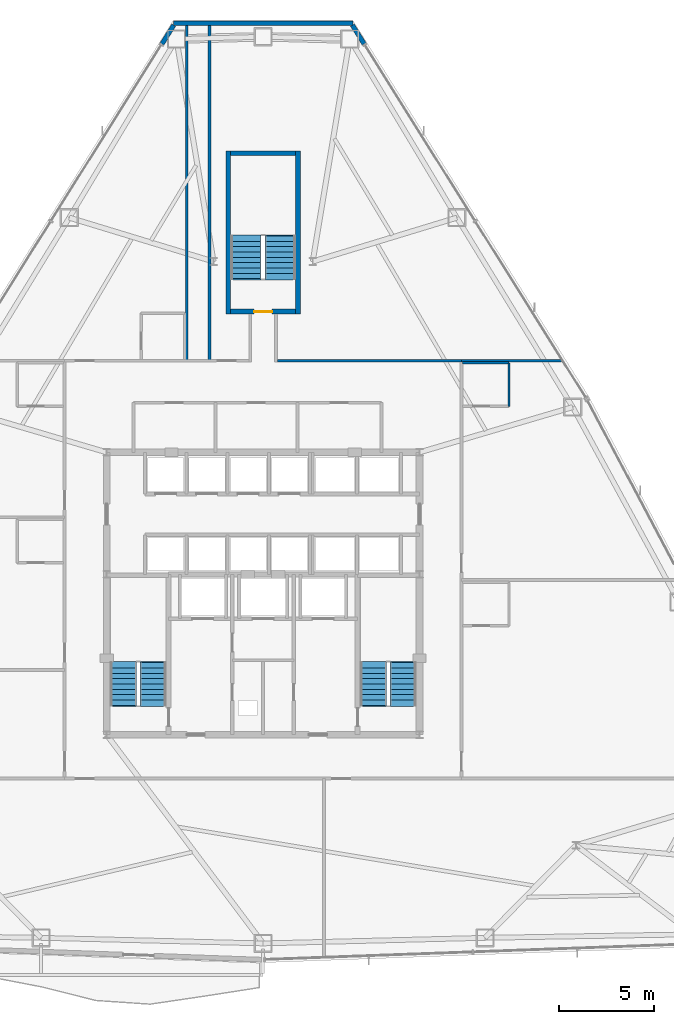
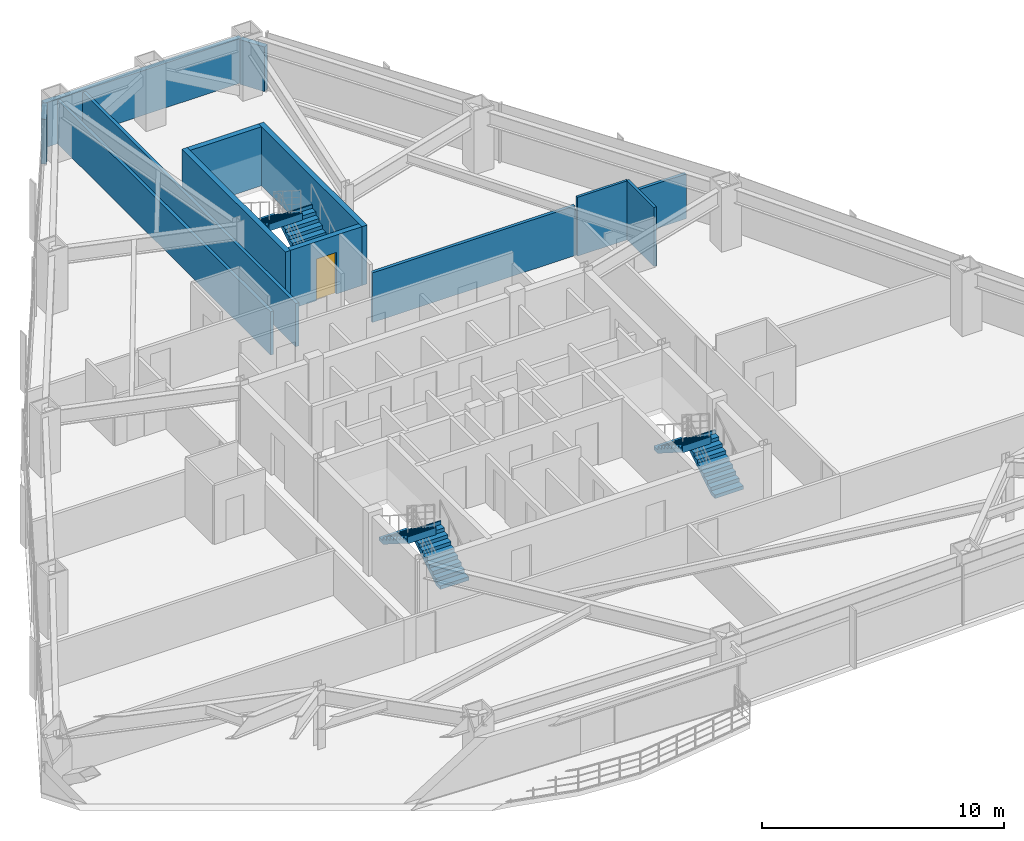
# One storey, part 11 of 13: 13 walls, 6 stair flights, 1 door, 1 opening, 3 elements without a shape of their own.
"""IFC4 building model written with IfcOpenShell, lengths in metres."""

from ifc_helpers import new_model, si_unit, direction, frame, frame_2d, origin, place, context, subcontext, project, spatial, polyline, rectangle, outline, extrude, material, layer, layer_set, type_object, element, fill, aggregate, save


model = new_model("IFC4")

# Units and contexts
model_context = context("Model", 3, precision=1e-05, world=origin(), true_north=direction((0.0, 1.0)))
body_context = subcontext(model_context, "Body", "Model", "MODEL_VIEW")
ifc_project = project(units=[si_unit("LENGTHUNIT", "METRE"), si_unit("AREAUNIT", "SQUARE_METRE"), si_unit("VOLUMEUNIT", "CUBIC_METRE"), si_unit("PLANEANGLEUNIT", "RADIAN"), si_unit("MASSUNIT", "GRAM", prefix="KILO")], contexts=[model_context])

# Site, building, storey
site_placement = place(None, origin())
site = spatial("IfcSite", under=ifc_project, at=site_placement, CompositionType="ELEMENT")
building_placement = place(site_placement, origin())
building = spatial("IfcBuilding", under=site, at=building_placement, Name="Varakhsha Concourse Tower", CompositionType="ELEMENT")
storey_placement = place(building_placement, frame((0.0, 0.0, 99.0)))
storey = spatial("IfcBuildingStorey", under=building, at=storey_placement, Name="L28", CompositionType="ELEMENT", Elevation=99.0)

# Walls
ifc_material_1 = material(Name="Concrete fc 45 MPa", Category="concrete")
ifc_layer_1 = layer(ifc_material_1, 0.239990234375, Name="WL-EXT-CRN-240")
ifc_layer_set_1 = layer_set([ifc_layer_1], Name="Concrete fc 45 MPa")
wall_type_1 = type_object("IfcWallType", Name="WL-EXT-CRN-240", PredefinedType="SHEAR", material=ifc_layer_set_1)
wall_1_placement = place(storey_placement, frame((35.300048828125, 53.699462890625, 0.0), z_axis=(0.0, 0.0, 1.0), x_axis=(1.0, 0.0, 0.0)))
element("IfcWall", 1, at=wall_1_placement, inside=storey, type_object=wall_type_1, Name="L28 Chamfer Wind-Corner Insulated Wall F1", PredefinedType="SHEAR", context=body_context, shape_type="SweptSolid", body=[
    extrude(rectangle(XDim=9.39990234375, YDim=0.239990234375, at=frame_2d((4.699951171875, 0.0))), origin(), (0.0, 0.0, 1.0), 2.2529296875),
])
for number, where, z_axis, x_axis, name in (
    (2, (35.318603515625, 53.587890625, 0.0), (0.0, 0.0, 1.0), (-0.531168946151, -0.847265926758, 0.0), "L28 Wind-Corner Shoulder Wall F2"),
    (3, (45.298828125, 52.60302734375, 0.0), (0.0, 0.0, 1.0), (-0.531168946151, 0.847265926758, 0.0), "L28 Wind-Corner Shoulder Wall F9"),
):
    element("IfcWall", number, at=place(storey_placement, frame(where, z_axis=z_axis, x_axis=x_axis)), inside=storey, type_object=wall_type_1, Name=name, PredefinedType="SHEAR", context=body_context, shape_type="SweptSolid", body=[
        extrude(rectangle(XDim=1.162353515625, YDim=0.239990234375, at=frame_2d((0.5810546875, 0.0))), origin(), (0.0, 0.0, 1.0), 2.2529296875),
    ])
ifc_material_2 = material(Name="Acoustic Gypsum Board Partition Assembly", Category="gypsum")
ifc_layer_2 = layer(ifc_material_2, 0.1201171875, Name="WL-PART-120")
ifc_layer_set_2 = layer_set([ifc_layer_2], Name="Acoustic Gypsum Board Partition Assembly")
wall_type_2 = type_object("IfcWallType", Name="WL-PART-120", PredefinedType="PARTITIONING", material=ifc_layer_set_2)
wall_2_placement = place(storey_placement, frame((52.889892578125, 33.610107421875, 0.0), z_axis=(0.0, 0.0, 1.0), x_axis=(0.0, 1.0, 0.0)))
element("IfcWall", 4, at=wall_2_placement, inside=storey, type_object=wall_type_2, Name="L28 Wall ENSW-E-L28-H07", PredefinedType="PARTITIONING", context=body_context, shape_type="SweptSolid", body=[
    extrude(rectangle(XDim=2.27978515625, YDim=0.1201171875, at=frame_2d((1.139892578125, 0.0))), origin(), (0.0, 0.0, 1.0), 2.969970703125),
])
wall_3_placement = place(storey_placement, frame((50.4599609375, 35.889892578125, 0.0), z_axis=(0.0, 0.0, 1.0), x_axis=(1.0, 0.0, 0.0)))
element("IfcWall", 5, at=wall_3_placement, inside=storey, type_object=wall_type_2, Name="L28 Wall ENSW-N-L28-H07", PredefinedType="PARTITIONING", context=body_context, shape_type="SweptSolid", body=[
    extrude(rectangle(XDim=2.429931640625, YDim=0.1201171875, at=frame_2d((1.21484375, 0.0))), origin(), (0.0, 0.0, 1.0), 2.969970703125),
])
ifc_material_3 = material(Name="Fire-Rated Type X Gypsum Partition Assembly", Category="gypsum")
ifc_layer_3 = layer(ifc_material_3, 0.14990234375, Name="WL-PART-150")
ifc_layer_set_3 = layer_set([ifc_layer_3], Name="Fire-Rated Type X Gypsum Partition Assembly")
wall_type_3 = type_object("IfcWallType", Name="WL-PART-150", PredefinedType="PARTITIONING", material=ifc_layer_set_3)
wall_4_placement = place(storey_placement, frame((40.75, 36.0, 0.0), z_axis=(0.0, 0.0, 1.0), x_axis=(1.0, 0.0, 0.0)))
element("IfcWall", 6, at=wall_4_placement, inside=storey, type_object=wall_type_3, Name="L28 Wall CRW-N-L28-B", PredefinedType="PARTITIONING", context=body_context, shape_type="SweptSolid", body=[
    extrude(rectangle(XDim=9.64990234375, YDim=0.14990234375, at=frame_2d((4.824951171875, 0.0))), origin(), (0.0, 0.0, 1.0), 2.5029296875),
])
wall_5_placement = place(storey_placement, frame((50.39990234375, 36.0, 0.0), z_axis=(0.0, 0.0, 1.0), x_axis=(1.0, 0.0, 0.0)))
element("IfcWall", 7, at=wall_5_placement, inside=storey, type_object=wall_type_3, Name="L28 Wall HDIV-EBN-L28", PredefinedType="PARTITIONING", context=body_context, shape_type="SweptSolid", body=[
    extrude(rectangle(XDim=5.302978515625, YDim=0.14990234375, at=frame_2d((2.6513671875, 0.0))), origin(), (0.0, 0.0, 1.0), 2.258056640625),
])
for number, where, z_axis, x_axis, name in (
    (8, (36.0, 36.0, 0.0), (0.0, 0.0, 1.0), (0.0, 1.0, 0.0), "L28 Wall HDIV-N1-L28"),
    (9, (37.199951171875, 36.0, 0.0), (0.0, 0.0, 1.0), (0.0, 1.0, 0.0), "L28 Wall HDIV-N2-L28"),
):
    element("IfcWall", number, at=place(storey_placement, frame(where, z_axis=z_axis, x_axis=x_axis)), inside=storey, type_object=wall_type_3, Name=name, PredefinedType="PARTITIONING", context=body_context, shape_type="SweptSolid", body=[
        extrude(rectangle(XDim=17.6943359375, YDim=0.14990234375, at=frame_2d((8.84716796875, 0.0))), origin(), (0.0, 0.0, 1.0), 2.180908203125),
    ])
ifc_layer_4 = layer(ifc_material_1, 0.25, Name="WL-STAIR-250")
ifc_layer_set_4 = layer_set([ifc_layer_4], Name="Concrete fc 45 MPa")
wall_type_4 = type_object("IfcWallType", Name="WL-STAIR-250", PredefinedType="SHEAR", material=ifc_layer_set_4)
for number, where, z_axis, x_axis, name in (
    (10, (38.175048828125, 38.449951171875, 0.0), (0.0, 0.0, 1.0), (0.0, 1.0, 0.0), "L28 Wall SWALL-ST5-W-L28"),
    (11, (41.824951171875, 38.449951171875, 0.0), (0.0, 0.0, 1.0), (0.0, 1.0, 0.0), "L28 Wall SWALL-ST5-E-L28"),
):
    element("IfcWall", number, at=place(storey_placement, frame(where, z_axis=z_axis, x_axis=x_axis)), inside=storey, type_object=wall_type_4, Name=name, PredefinedType="SHEAR", context=body_context, shape_type="SweptSolid", body=[
        extrude(rectangle(XDim=8.550048828125, YDim=0.25, at=frame_2d((4.27490234375, 0.0))), origin(), (0.0, 0.0, 1.0), 2.969970703125),
    ])

# Wall, opening, door
wall_6_placement = place(storey_placement, frame((38.300048828125, 38.574951171875, 0.0), z_axis=(0.0, 0.0, 1.0), x_axis=(1.0, 0.0, 0.0)))
wall_6 = element("IfcWall", 12, at=wall_6_placement, inside=storey, type_object=wall_type_4, Name="L28 Wall SWALL-ST5-S-L28", PredefinedType="SHEAR", context=body_context, shape_type="SweptSolid", body=[
    extrude(rectangle(XDim=3.39990234375, YDim=0.25, at=frame_2d((1.699951171875, 0.0))), origin(), (0.0, 0.0, 1.0), 2.969970703125),
])
opening_placement = place(wall_6_placement, frame((1.22509765625, 0.0, 0.0)))
opening = element("IfcOpeningElement", 13, at=opening_placement, cuts=wall_6, Name="Opening DF-03", PredefinedType="OPENING", context=body_context, shape_type="SweptSolid", body=[
    extrude(rectangle(XDim=0.949951171875, YDim=2.10009765625, at=frame_2d((0.47509765625, 1.050048828125))), frame((0.0, 0.135009765625, 0.0), z_axis=(0.0, -1.0, 0.0), x_axis=(1.0, 0.0, 0.0)), (0.0, 0.0, 1.0), 0.27001953125),
])
ifc_material_4 = material(Name="Hollow Galvanised Steel Fire Door Assembly", Category="steel")
door_type = type_object("IfcDoorType", Name="DR-FD90-950", OperationType="NOTDEFINED", PredefinedType="DOOR", material=ifc_material_4)
door_placement = place(opening_placement, origin())
door = element("IfcDoor", 14, at=door_placement, inside=storey, type_object=door_type, Name="L28 Stair ST5 Fire Door", OperationType="SINGLE_SWING_RIGHT", OverallHeight=2.10009765625, OverallWidth=0.949951171875, PredefinedType="DOOR", context=body_context, shape_type="SweptSolid", body=[
    extrude(rectangle(XDim=0.949951171875, YDim=2.10009765625, at=frame_2d((0.47509765625, 1.050048828125))), frame((0.0, 0.02490234375, 0.0), z_axis=(0.0, -1.0, 0.0), x_axis=(1.0, 0.0, 0.0)), (0.0, 0.0, 1.0), 0.050048828125),
])
fill(opening, door)

# Wall
wall_7_placement = place(storey_placement, frame((38.300048828125, 46.875, 0.0), z_axis=(0.0, 0.0, 1.0), x_axis=(1.0, 0.0, 0.0)))
element("IfcWall", 15, at=wall_7_placement, inside=storey, type_object=wall_type_4, Name="L28 Wall SWALL-ST5-N-L28", PredefinedType="SHEAR", context=body_context, shape_type="SweptSolid", body=[
    extrude(rectangle(XDim=3.39990234375, YDim=0.25, at=frame_2d((1.699951171875, 0.0))), origin(), (0.0, 0.0, 1.0), 2.969970703125),
])

# Stair, stair flights
stair_type_1 = type_object("IfcStairType", Name="ST-DOGLEG-1360", PredefinedType="HALF_TURN_STAIR", material=ifc_material_1)
stair_1_placement = place(storey_placement, origin())
stair_1 = element("IfcStair", 16, at=stair_1_placement, inside=storey, type_object=stair_type_1, Name="L28 Protected Exit Stair ST1", PredefinedType="HALF_TURN_STAIR")
stair_flight_type_1 = type_object("IfcStairFlightType", Name="STF-1360-R1778", PredefinedType="STRAIGHT", material=ifc_material_1)
stair_flight_1_placement = place(storey_placement, frame((34.239990234375, 17.93994140625, 0.0), z_axis=(0.0, 0.0, 1.0), x_axis=(0.0, 1.0, 0.0)))
stair_flight_1 = element("IfcStairFlight", 17, at=stair_flight_1_placement, type_object=stair_flight_type_1, Name="ST1 flight 1", NumberOfRisers=9, NumberOfTreads=8, PredefinedType="STRAIGHT", RiserHeight=0.177777778, TreadLength=0.28, context=body_context, shape_type="SweptSolid", body=[
    extrude(outline(polyline([(-0.06005859375, 0.0), (-0.06005859375, 0.177734375), (0.0, 0.177734375), (0.280029296875, 0.177734375), (0.280029296875, 0.35546875), (0.56005859375, 0.35546875), (0.56005859375, 0.533447265625), (0.840087890625, 0.533447265625), (0.840087890625, 0.711181640625), (1.1201171875, 0.711181640625), (1.1201171875, 0.888916015625), (1.39990234375, 0.888916015625), (1.39990234375, 1.066650390625), (1.679931640625, 1.066650390625), (1.679931640625, 1.244384765625), (1.9599609375, 1.244384765625), (1.9599609375, 1.422119140625), (2.239990234375, 1.422119140625), (2.239990234375, 1.60009765625), (2.300048828125, 1.60009765625), (2.300048828125, 1.24462890625), (2.239990234375, 1.24462890625), (0.27978515625, 0.0), (-0.06005859375, 0.0)])), frame((0.0, 0.68017578125, 0.0), z_axis=(0.0, -1.0, 0.0), x_axis=(1.0, 0.0, 0.0)), (0.0, 0.0, 1.0), 1.360107421875),
])
stair_flight_2_placement = place(storey_placement, frame((32.679931640625, 20.179931640625, 1.60009765625), z_axis=(0.0, 0.0, 1.0), x_axis=(0.0, -1.0, 0.0)))
stair_flight_2 = element("IfcStairFlight", 18, at=stair_flight_2_placement, type_object=stair_flight_type_1, Name="ST1 flight 2", NumberOfRisers=9, NumberOfTreads=8, PredefinedType="STRAIGHT", RiserHeight=0.177777778, TreadLength=0.28, context=body_context, shape_type="SweptSolid", body=[
    extrude(outline(polyline([(-0.06005859375, 0.0), (-0.06005859375, 0.177734375), (0.0, 0.177734375), (0.280029296875, 0.177734375), (0.280029296875, 0.35546875), (0.56005859375, 0.35546875), (0.56005859375, 0.533447265625), (0.840087890625, 0.533447265625), (0.840087890625, 0.711181640625), (1.1201171875, 0.711181640625), (1.1201171875, 0.888916015625), (1.39990234375, 0.888916015625), (1.39990234375, 1.066650390625), (1.679931640625, 1.066650390625), (1.679931640625, 1.244384765625), (1.9599609375, 1.244384765625), (1.9599609375, 1.422119140625), (2.239990234375, 1.422119140625), (2.239990234375, 1.60009765625), (2.300048828125, 1.60009765625), (2.300048828125, 1.24462890625), (2.239990234375, 1.24462890625), (0.27978515625, 0.0), (-0.06005859375, 0.0)])), frame((0.0, 0.68017578125, 0.0), z_axis=(0.0, -1.0, 0.0), x_axis=(1.0, 0.0, 0.0)), (0.0, 0.0, 1.0), 1.360107421875),
])
aggregate(stair_1, [stair_flight_1, stair_flight_2])

stair_2_placement = place(storey_placement, origin())
stair_2 = element("IfcStair", 19, at=stair_2_placement, inside=storey, type_object=stair_type_1, Name="L28 Protected Exit Stair ST2", PredefinedType="HALF_TURN_STAIR")
stair_flight_3_placement = place(storey_placement, frame((47.340087890625, 17.93994140625, 0.0), z_axis=(0.0, 0.0, 1.0), x_axis=(0.0, 1.0, 0.0)))
stair_flight_3 = element("IfcStairFlight", 20, at=stair_flight_3_placement, type_object=stair_flight_type_1, Name="ST2 flight 1", NumberOfRisers=9, NumberOfTreads=8, PredefinedType="STRAIGHT", RiserHeight=0.177777778, TreadLength=0.28, context=body_context, shape_type="SweptSolid", body=[
    extrude(outline(polyline([(-0.06005859375, 0.0), (-0.06005859375, 0.177734375), (0.0, 0.177734375), (0.280029296875, 0.177734375), (0.280029296875, 0.35546875), (0.56005859375, 0.35546875), (0.56005859375, 0.533447265625), (0.840087890625, 0.533447265625), (0.840087890625, 0.711181640625), (1.1201171875, 0.711181640625), (1.1201171875, 0.888916015625), (1.39990234375, 0.888916015625), (1.39990234375, 1.066650390625), (1.679931640625, 1.066650390625), (1.679931640625, 1.244384765625), (1.9599609375, 1.244384765625), (1.9599609375, 1.422119140625), (2.239990234375, 1.422119140625), (2.239990234375, 1.60009765625), (2.300048828125, 1.60009765625), (2.300048828125, 1.24462890625), (2.239990234375, 1.24462890625), (0.27978515625, 0.0), (-0.06005859375, 0.0)])), frame((0.0, 0.68017578125, 0.0), z_axis=(0.0, -1.0, 0.0), x_axis=(1.0, 0.0, 0.0)), (0.0, 0.0, 1.0), 1.360107421875),
])
stair_flight_4_placement = place(storey_placement, frame((45.780029296875, 20.179931640625, 1.60009765625), z_axis=(0.0, 0.0, 1.0), x_axis=(0.0, -1.0, 0.0)))
stair_flight_4 = element("IfcStairFlight", 21, at=stair_flight_4_placement, type_object=stair_flight_type_1, Name="ST2 flight 2", NumberOfRisers=9, NumberOfTreads=8, PredefinedType="STRAIGHT", RiserHeight=0.177777778, TreadLength=0.28, context=body_context, shape_type="SweptSolid", body=[
    extrude(outline(polyline([(-0.06005859375, 0.0), (-0.06005859375, 0.177734375), (0.0, 0.177734375), (0.280029296875, 0.177734375), (0.280029296875, 0.35546875), (0.56005859375, 0.35546875), (0.56005859375, 0.533447265625), (0.840087890625, 0.533447265625), (0.840087890625, 0.711181640625), (1.1201171875, 0.711181640625), (1.1201171875, 0.888916015625), (1.39990234375, 0.888916015625), (1.39990234375, 1.066650390625), (1.679931640625, 1.066650390625), (1.679931640625, 1.244384765625), (1.9599609375, 1.244384765625), (1.9599609375, 1.422119140625), (2.239990234375, 1.422119140625), (2.239990234375, 1.60009765625), (2.300048828125, 1.60009765625), (2.300048828125, 1.24462890625), (2.239990234375, 1.24462890625), (0.27978515625, 0.0), (-0.06005859375, 0.0)])), frame((0.0, 0.68017578125, 0.0), z_axis=(0.0, -1.0, 0.0), x_axis=(1.0, 0.0, 0.0)), (0.0, 0.0, 1.0), 1.360107421875),
])
aggregate(stair_2, [stair_flight_3, stair_flight_4])

stair_type_2 = type_object("IfcStairType", Name="ST-DOGLEG-1600", PredefinedType="HALF_TURN_STAIR", material=ifc_material_1)
stair_3_placement = place(storey_placement, origin())
stair_3 = element("IfcStair", 22, at=stair_3_placement, inside=storey, type_object=stair_type_2, Name="L28 Protected Exit Stair ST5", PredefinedType="HALF_TURN_STAIR")
stair_flight_type_2 = type_object("IfcStairFlightType", Name="STF-1600-R1778", PredefinedType="STRAIGHT", material=ifc_material_1)
stair_flight_5_placement = place(storey_placement, frame((40.89990234375, 40.300048828125, 0.0), z_axis=(0.0, 0.0, 1.0), x_axis=(0.0, 1.0, 0.0)))
stair_flight_5 = element("IfcStairFlight", 23, at=stair_flight_5_placement, type_object=stair_flight_type_2, Name="ST5 flight 1", NumberOfRisers=9, NumberOfTreads=8, PredefinedType="STRAIGHT", RiserHeight=0.177777778, TreadLength=0.28, context=body_context, shape_type="SweptSolid", body=[
    extrude(outline(polyline([(-0.06005859375, 0.0), (-0.06005859375, 0.177734375), (0.0, 0.177734375), (0.280029296875, 0.177734375), (0.280029296875, 0.35546875), (0.56005859375, 0.35546875), (0.56005859375, 0.533447265625), (0.840087890625, 0.533447265625), (0.840087890625, 0.711181640625), (1.1201171875, 0.711181640625), (1.1201171875, 0.888916015625), (1.39990234375, 0.888916015625), (1.39990234375, 1.066650390625), (1.679931640625, 1.066650390625), (1.679931640625, 1.244384765625), (1.9599609375, 1.244384765625), (1.9599609375, 1.422119140625), (2.239990234375, 1.422119140625), (2.239990234375, 1.60009765625), (2.300048828125, 1.60009765625), (2.300048828125, 1.24462890625), (2.239990234375, 1.24462890625), (0.27978515625, 0.0), (-0.06005859375, 0.0)])), frame((0.0, 0.800048828125, 0.0), z_axis=(0.0, -1.0, 0.0), x_axis=(1.0, 0.0, 0.0)), (0.0, 0.0, 1.0), 1.60009765625),
])
stair_flight_6_placement = place(storey_placement, frame((39.10009765625, 42.5400390625, 1.60009765625), z_axis=(0.0, 0.0, 1.0), x_axis=(0.0, -1.0, 0.0)))
stair_flight_6 = element("IfcStairFlight", 24, at=stair_flight_6_placement, type_object=stair_flight_type_2, Name="ST5 flight 2", NumberOfRisers=9, NumberOfTreads=8, PredefinedType="STRAIGHT", RiserHeight=0.177777778, TreadLength=0.28, context=body_context, shape_type="SweptSolid", body=[
    extrude(outline(polyline([(-0.06005859375, 0.0), (-0.06005859375, 0.177734375), (0.0, 0.177734375), (0.280029296875, 0.177734375), (0.280029296875, 0.35546875), (0.56005859375, 0.35546875), (0.56005859375, 0.533447265625), (0.840087890625, 0.533447265625), (0.840087890625, 0.711181640625), (1.1201171875, 0.711181640625), (1.1201171875, 0.888916015625), (1.39990234375, 0.888916015625), (1.39990234375, 1.066650390625), (1.679931640625, 1.066650390625), (1.679931640625, 1.244384765625), (1.9599609375, 1.244384765625), (1.9599609375, 1.422119140625), (2.239990234375, 1.422119140625), (2.239990234375, 1.60009765625), (2.300048828125, 1.60009765625), (2.300048828125, 1.24462890625), (2.239990234375, 1.24462890625), (0.27978515625, 0.0), (-0.06005859375, 0.0)])), frame((0.0, 0.800048828125, 0.0), z_axis=(0.0, -1.0, 0.0), x_axis=(1.0, 0.0, 0.0)), (0.0, 0.0, 1.0), 1.60009765625),
])
aggregate(stair_3, [stair_flight_5, stair_flight_6])

save(model, "model.ifc")
